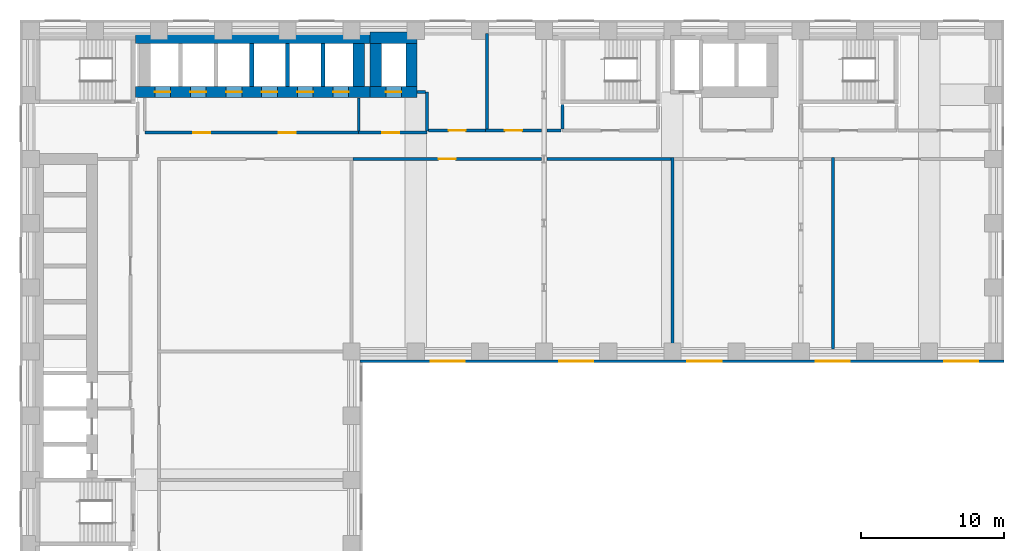
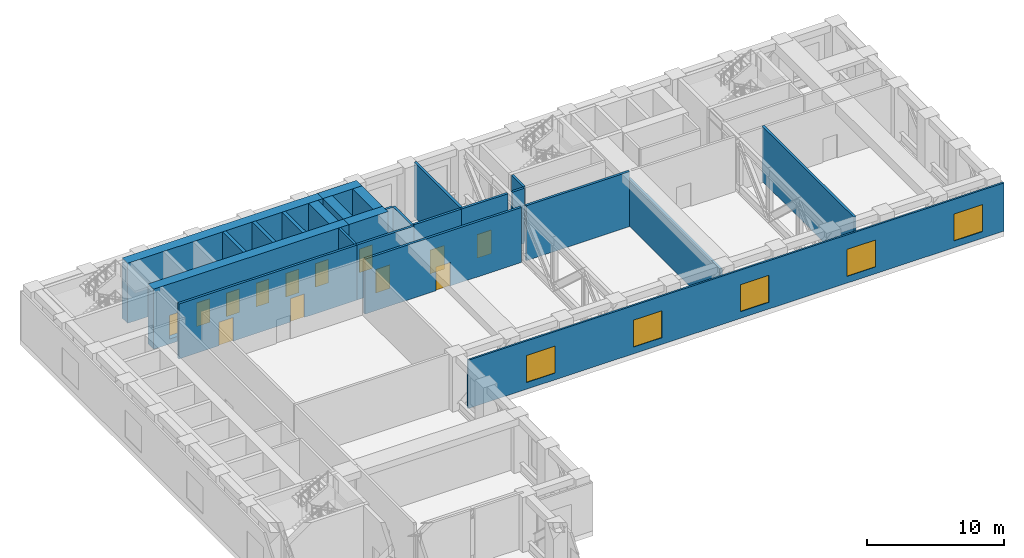
# One storey, part 7 of 13: 25 walls, 13 doors, 5 windows, 18 openings.
"""IFC4 building model written with IfcOpenShell, lengths in metres."""

from ifc_helpers import new_model, si_unit, direction, frame, frame_2d, origin, place, context, subcontext, project, spatial, rectangle, extrude, material, layer, layer_set, type_object, element, fill, save


model = new_model("IFC4")

# Units and contexts
model_context = context("Model", 3, precision=1e-05, world=origin(), true_north=direction((0.0, 1.0)))
body_context = subcontext(model_context, "Body", "Model", "MODEL_VIEW")
ifc_project = project(units=[si_unit("LENGTHUNIT", "METRE"), si_unit("AREAUNIT", "SQUARE_METRE"), si_unit("VOLUMEUNIT", "CUBIC_METRE"), si_unit("PLANEANGLEUNIT", "RADIAN"), si_unit("MASSUNIT", "GRAM", prefix="KILO")], contexts=[model_context])

# Site, building, storey
site_placement = place(None, origin())
site = spatial("IfcSite", under=ifc_project, at=site_placement, CompositionType="ELEMENT")
building_placement = place(site_placement, origin())
building = spatial("IfcBuilding", under=site, at=building_placement, Name="Firuza Court", CompositionType="ELEMENT")
storey_placement = place(building_placement, frame((0.0, 0.0, 108.199951171875)))
storey = spatial("IfcBuildingStorey", under=building, at=storey_placement, Name="L27", CompositionType="ELEMENT", Elevation=108.199951171875)

# Walls
ifc_material_1 = material(Name="Concrete C60/75", Category="concrete")
ifc_layer_1 = layer(ifc_material_1, 0.300048828125)
ifc_layer_set_1 = layer_set([ifc_layer_1], Name="Concrete C60/75")
wall_type_1 = type_object("IfcWallType", Name="Core wall 300 C60/75", PredefinedType="SHEAR", material=ifc_layer_set_1)
for number, where, z_axis, x_axis, name in (
    (1, (15.5, 54.60009765625, -0.449951171875), (0.0, 0.0, 1.0), (0.0, 1.0, 0.0), "Core wall lift shaft L27"),
    (2, (18.0, 54.60009765625, -0.449951171875), (0.0, 0.0, 1.0), (0.0, 1.0, 0.0), "Core wall lift shaft L27"),
    (3, (20.5, 54.60009765625, -0.449951171875), (0.0, 0.0, 1.0), (0.0, 1.0, 0.0), "Core wall lift shaft L27"),
):
    element("IfcWall", number, at=place(storey_placement, frame(where, z_axis=z_axis, x_axis=x_axis)), inside=storey, type_object=wall_type_1, Name=name, PredefinedType="SHEAR", context=body_context, shape_type="SweptSolid", body=[
        extrude(rectangle(XDim=3.0, YDim=0.300048828125, at=frame_2d((1.5, 0.0))), origin(), (0.0, 0.0, 1.0), 5.35009765625),
    ])

# Wall, openings, doors
ifc_layer_2 = layer(ifc_material_1, 0.800048828125)
ifc_layer_set_2 = layer_set([ifc_layer_2], Name="Concrete C60/75")
wall_type_2 = type_object("IfcWallType", Name="Core wall 800 C60/75", PredefinedType="SHEAR", material=ifc_layer_set_2)
wall_1_placement = place(storey_placement, frame((7.35009765625, 54.199951171875, -0.449951171875), z_axis=(0.0, 0.0, 1.0), x_axis=(1.0, 0.0, 0.0)))
wall_1 = element("IfcWall", 4, at=wall_1_placement, inside=storey, type_object=wall_type_2, Name="Core wall lift shaft L27", PredefinedType="SHEAR", context=body_context, shape_type="SweptSolid", body=[
    extrude(rectangle(XDim=16.449951171875, YDim=0.800048828125, at=frame_2d((8.22509765625, 0.0))), origin(), (0.0, 0.0, 1.0), 5.35009765625),
])
opening_1_placement = place(wall_1_placement, frame((1.35009765625, 0.0, 0.449951171875)))
opening_1 = element("IfcOpeningElement", 5, at=opening_1_placement, cuts=wall_1, Name="Opening LD-LB1-27", PredefinedType="OPENING", context=body_context, shape_type="SweptSolid", body=[
    extrude(rectangle(XDim=1.10009765625, YDim=2.10009765625, at=frame_2d((0.550048828125, 1.050048828125))), frame((0.0, 0.412109375, 0.0), z_axis=(0.0, -1.0, 0.0), x_axis=(1.0, 0.0, 0.0)), (0.0, 0.0, 1.0), 0.823974609375),
])
opening_2_placement = place(wall_1_placement, frame((3.85009765625, 0.0, 0.449951171875)))
opening_2 = element("IfcOpeningElement", 6, at=opening_2_placement, cuts=wall_1, Name="Opening LD-LB2-27", PredefinedType="OPENING", context=body_context, shape_type="SweptSolid", body=[
    extrude(rectangle(XDim=1.10009765625, YDim=2.10009765625, at=frame_2d((0.550048828125, 1.050048828125))), frame((0.0, 0.412109375, 0.0), z_axis=(0.0, -1.0, 0.0), x_axis=(1.0, 0.0, 0.0)), (0.0, 0.0, 1.0), 0.823974609375),
])
opening_3_placement = place(wall_1_placement, frame((6.35009765625, 0.0, 0.449951171875)))
opening_3 = element("IfcOpeningElement", 7, at=opening_3_placement, cuts=wall_1, Name="Opening LD-LB3-27", PredefinedType="OPENING", context=body_context, shape_type="SweptSolid", body=[
    extrude(rectangle(XDim=1.10009765625, YDim=2.10009765625, at=frame_2d((0.550048828125, 1.050048828125))), frame((0.0, 0.412109375, 0.0), z_axis=(0.0, -1.0, 0.0), x_axis=(1.0, 0.0, 0.0)), (0.0, 0.0, 1.0), 0.823974609375),
])
opening_4_placement = place(wall_1_placement, frame((8.85009765625, 0.0, 0.449951171875)))
opening_4 = element("IfcOpeningElement", 8, at=opening_4_placement, cuts=wall_1, Name="Opening LD-LB4-27", PredefinedType="OPENING", context=body_context, shape_type="SweptSolid", body=[
    extrude(rectangle(XDim=1.10009765625, YDim=2.10009765625, at=frame_2d((0.550048828125, 1.050048828125))), frame((0.0, 0.412109375, 0.0), z_axis=(0.0, -1.0, 0.0), x_axis=(1.0, 0.0, 0.0)), (0.0, 0.0, 1.0), 0.823974609375),
])
opening_5_placement = place(wall_1_placement, frame((11.35009765625, 0.0, 0.449951171875)))
opening_5 = element("IfcOpeningElement", 9, at=opening_5_placement, cuts=wall_1, Name="Opening LD-LB5-27", PredefinedType="OPENING", context=body_context, shape_type="SweptSolid", body=[
    extrude(rectangle(XDim=1.10009765625, YDim=2.10009765625, at=frame_2d((0.550048828125, 1.050048828125))), frame((0.0, 0.412109375, 0.0), z_axis=(0.0, -1.0, 0.0), x_axis=(1.0, 0.0, 0.0)), (0.0, 0.0, 1.0), 0.823974609375),
])
opening_6_placement = place(wall_1_placement, frame((13.85009765625, 0.0, 0.449951171875)))
opening_6 = element("IfcOpeningElement", 10, at=opening_6_placement, cuts=wall_1, Name="Opening LD-LB6-27", PredefinedType="OPENING", context=body_context, shape_type="SweptSolid", body=[
    extrude(rectangle(XDim=1.10009765625, YDim=2.10009765625, at=frame_2d((0.550048828125, 1.050048828125))), frame((0.0, 0.412109375, 0.0), z_axis=(0.0, -1.0, 0.0), x_axis=(1.0, 0.0, 0.0)), (0.0, 0.0, 1.0), 0.823974609375),
])
ifc_material_2 = material(Name="Stainless steel 1.4301 door leaf", Category="steel")
door_type_1 = type_object("IfcDoorType", Name="Lift landing door 1100", OperationType="SLIDING_TO_LEFT", PredefinedType="DOOR", material=ifc_material_2)
door_1_placement = place(opening_1_placement, origin())
door_1 = element("IfcDoor", 11, at=door_1_placement, inside=storey, type_object=door_type_1, Name="Landing door LB1", OperationType="SLIDING_TO_LEFT", OverallHeight=2.10009765625, OverallWidth=1.10009765625, PredefinedType="DOOR", context=body_context, shape_type="SweptSolid", body=[
    extrude(rectangle(XDim=1.10009765625, YDim=2.10009765625, at=frame_2d((0.550048828125, 1.050048828125))), frame((0.0, 0.02490234375, 0.0), z_axis=(0.0, -1.0, 0.0), x_axis=(1.0, 0.0, 0.0)), (0.0, 0.0, 1.0), 0.050048828125),
])
fill(opening_1, door_1)
door_2_placement = place(opening_2_placement, origin())
door_2 = element("IfcDoor", 12, at=door_2_placement, inside=storey, type_object=door_type_1, Name="Landing door LB2", OperationType="SLIDING_TO_LEFT", OverallHeight=2.10009765625, OverallWidth=1.10009765625, PredefinedType="DOOR", context=body_context, shape_type="SweptSolid", body=[
    extrude(rectangle(XDim=1.10009765625, YDim=2.10009765625, at=frame_2d((0.550048828125, 1.050048828125))), frame((0.0, 0.02490234375, 0.0), z_axis=(0.0, -1.0, 0.0), x_axis=(1.0, 0.0, 0.0)), (0.0, 0.0, 1.0), 0.050048828125),
])
fill(opening_2, door_2)
door_3_placement = place(opening_3_placement, origin())
door_3 = element("IfcDoor", 13, at=door_3_placement, inside=storey, type_object=door_type_1, Name="Landing door LB3", OperationType="SLIDING_TO_LEFT", OverallHeight=2.10009765625, OverallWidth=1.10009765625, PredefinedType="DOOR", context=body_context, shape_type="SweptSolid", body=[
    extrude(rectangle(XDim=1.10009765625, YDim=2.10009765625, at=frame_2d((0.550048828125, 1.050048828125))), frame((0.0, 0.02490234375, 0.0), z_axis=(0.0, -1.0, 0.0), x_axis=(1.0, 0.0, 0.0)), (0.0, 0.0, 1.0), 0.050048828125),
])
fill(opening_3, door_3)
door_4_placement = place(opening_4_placement, origin())
door_4 = element("IfcDoor", 14, at=door_4_placement, inside=storey, type_object=door_type_1, Name="Landing door LB4", OperationType="SLIDING_TO_LEFT", OverallHeight=2.10009765625, OverallWidth=1.10009765625, PredefinedType="DOOR", context=body_context, shape_type="SweptSolid", body=[
    extrude(rectangle(XDim=1.10009765625, YDim=2.10009765625, at=frame_2d((0.550048828125, 1.050048828125))), frame((0.0, 0.02490234375, 0.0), z_axis=(0.0, -1.0, 0.0), x_axis=(1.0, 0.0, 0.0)), (0.0, 0.0, 1.0), 0.050048828125),
])
fill(opening_4, door_4)
door_5_placement = place(opening_5_placement, origin())
door_5 = element("IfcDoor", 15, at=door_5_placement, inside=storey, type_object=door_type_1, Name="Landing door LB5", OperationType="SLIDING_TO_LEFT", OverallHeight=2.10009765625, OverallWidth=1.10009765625, PredefinedType="DOOR", context=body_context, shape_type="SweptSolid", body=[
    extrude(rectangle(XDim=1.10009765625, YDim=2.10009765625, at=frame_2d((0.550048828125, 1.050048828125))), frame((0.0, 0.02490234375, 0.0), z_axis=(0.0, -1.0, 0.0), x_axis=(1.0, 0.0, 0.0)), (0.0, 0.0, 1.0), 0.050048828125),
])
fill(opening_5, door_5)
door_6_placement = place(opening_6_placement, origin())
door_6 = element("IfcDoor", 16, at=door_6_placement, inside=storey, type_object=door_type_1, Name="Landing door LB6", OperationType="SLIDING_TO_LEFT", OverallHeight=2.10009765625, OverallWidth=1.10009765625, PredefinedType="DOOR", context=body_context, shape_type="SweptSolid", body=[
    extrude(rectangle(XDim=1.10009765625, YDim=2.10009765625, at=frame_2d((0.550048828125, 1.050048828125))), frame((0.0, 0.02490234375, 0.0), z_axis=(0.0, -1.0, 0.0), x_axis=(1.0, 0.0, 0.0)), (0.0, 0.0, 1.0), 0.050048828125),
])
fill(opening_6, door_6)

# Walls
wall_2_placement = place(storey_placement, frame((7.35009765625, 58.0, -0.449951171875), z_axis=(0.0, 0.0, 1.0), x_axis=(1.0, 0.0, 0.0)))
element("IfcWall", 17, at=wall_2_placement, inside=storey, type_object=wall_type_2, Name="Core wall lift shaft L27", PredefinedType="SHEAR", context=body_context, shape_type="SweptSolid", body=[
    extrude(rectangle(XDim=16.449951171875, YDim=0.800048828125, at=frame_2d((8.22509765625, 0.0))), origin(), (0.0, 0.0, 1.0), 5.35009765625),
])
wall_3_placement = place(storey_placement, frame((23.0, 54.60009765625, -0.449951171875), z_axis=(0.0, 0.0, 1.0), x_axis=(0.0, 1.0, 0.0)))
element("IfcWall", 18, at=wall_3_placement, inside=storey, type_object=wall_type_2, Name="Core wall lift shaft L27", PredefinedType="SHEAR", context=body_context, shape_type="SweptSolid", body=[
    extrude(rectangle(XDim=3.0, YDim=0.800048828125, at=frame_2d((1.5, 0.0))), origin(), (0.0, 0.0, 1.0), 5.35009765625),
])

# Wall, opening, door
wall_4_placement = place(storey_placement, frame((23.800048828125, 54.199951171875, -0.449951171875), z_axis=(0.0, 0.0, 1.0), x_axis=(1.0, 0.0, 0.0)))
wall_4 = element("IfcWall", 19, at=wall_4_placement, inside=storey, type_object=wall_type_2, Name="Core wall lift shaft L27", PredefinedType="SHEAR", context=body_context, shape_type="SweptSolid", body=[
    extrude(rectangle(XDim=3.300048828125, YDim=0.800048828125, at=frame_2d((1.64990234375, 0.0))), origin(), (0.0, 0.0, 1.0), 5.35009765625),
])
opening_7_placement = place(wall_4_placement, frame((1.10009765625, 0.0, 0.449951171875)))
opening_7 = element("IfcOpeningElement", 20, at=opening_7_placement, cuts=wall_4, Name="Opening LD-FL3-27", PredefinedType="OPENING", context=body_context, shape_type="SweptSolid", body=[
    extrude(rectangle(XDim=1.10009765625, YDim=2.10009765625, at=frame_2d((0.550048828125, 1.050048828125))), frame((0.0, 0.412109375, 0.0), z_axis=(0.0, -1.0, 0.0), x_axis=(1.0, 0.0, 0.0)), (0.0, 0.0, 1.0), 0.823974609375),
])
door_7_placement = place(opening_7_placement, origin())
door_7 = element("IfcDoor", 21, at=door_7_placement, inside=storey, type_object=door_type_1, Name="Landing door FL3", OperationType="SLIDING_TO_LEFT", OverallHeight=2.10009765625, OverallWidth=1.10009765625, PredefinedType="DOOR", context=body_context, shape_type="SweptSolid", body=[
    extrude(rectangle(XDim=1.10009765625, YDim=2.10009765625, at=frame_2d((0.550048828125, 1.050048828125))), frame((0.0, 0.02490234375, 0.0), z_axis=(0.0, -1.0, 0.0), x_axis=(1.0, 0.0, 0.0)), (0.0, 0.0, 1.0), 0.050048828125),
])
fill(opening_7, door_7)

# Walls
wall_5_placement = place(storey_placement, frame((23.800048828125, 58.0, -0.449951171875), z_axis=(0.0, 0.0, 1.0), x_axis=(1.0, 0.0, 0.0)))
element("IfcWall", 22, at=wall_5_placement, inside=storey, type_object=wall_type_2, Name="Core wall lift shaft L27", PredefinedType="SHEAR", context=body_context, shape_type="SweptSolid", body=[
    extrude(rectangle(XDim=3.300048828125, YDim=0.800048828125, at=frame_2d((1.64990234375, 0.0))), origin(), (0.0, 0.0, 1.0), 5.35009765625),
])
for number, where, z_axis, x_axis, name in (
    (23, (24.199951171875, 54.60009765625, -0.449951171875), (0.0, 0.0, 1.0), (0.0, 1.0, 0.0), "Core wall lift shaft L27"),
    (24, (26.699951171875, 54.60009765625, -0.449951171875), (0.0, 0.0, 1.0), (0.0, 1.0, 0.0), "Core wall lift shaft L27"),
):
    element("IfcWall", number, at=place(storey_placement, frame(where, z_axis=z_axis, x_axis=x_axis)), inside=storey, type_object=wall_type_2, Name=name, PredefinedType="SHEAR", context=body_context, shape_type="SweptSolid", body=[
        extrude(rectangle(XDim=3.0, YDim=0.800048828125, at=frame_2d((1.5, 0.0))), origin(), (0.0, 0.0, 1.0), 5.35009765625),
    ])

# Wall, opening, door
ifc_material_3 = material(Name="Blockwork, plastered both sides", Category="masonry")
ifc_layer_3 = layer(ifc_material_3, 0.199951171875)
ifc_layer_set_3 = layer_set([ifc_layer_3], Name="Blockwork, plastered both sides")
wall_type_3 = type_object("IfcWallType", Name="Corridor wall 200", PredefinedType="PARTITIONING", material=ifc_layer_set_3)
wall_6_placement = place(storey_placement, frame((22.60009765625, 49.5, 0.0), z_axis=(0.0, 0.0, 1.0), x_axis=(1.0, 0.0, 0.0)))
wall_6 = element("IfcWall", 25, at=wall_6_placement, inside=storey, type_object=wall_type_3, Name="Corridor wall 200 L27", PredefinedType="PARTITIONING", context=body_context, shape_type="SweptSolid", body=[
    extrude(rectangle(XDim=13.20751953125, YDim=0.199951171875, at=frame_2d((6.603759765625, 0.0))), origin(), (0.0, 0.0, 1.0), 4.900146484375),
])
opening_8_placement = place(wall_6_placement, frame((6.003662109375, 0.0, 0.0)))
opening_8 = element("IfcOpeningElement", 26, at=opening_8_placement, cuts=wall_6, Name="Opening D27028", PredefinedType="OPENING", context=body_context, shape_type="SweptSolid", body=[
    extrude(rectangle(XDim=1.199951171875, YDim=2.10009765625, at=frame_2d((0.60009765625, 1.050048828125))), frame((0.0, 0.11181640625, 0.0), z_axis=(0.0, -1.0, 0.0), x_axis=(1.0, 0.0, 0.0)), (0.0, 0.0, 1.0), 0.223876953125),
])
ifc_material_4 = material(Name="Timber door leaf in hardwood frame", Category="wood")
door_type_2 = type_object("IfcDoorType", Name="Lobby door 1200", OperationType="SINGLE_SWING_LEFT", PredefinedType="DOOR", material=ifc_material_4)
door_8_placement = place(opening_8_placement, frame((1.199951171875, 0.0, 0.0), z_axis=(0.0, 0.0, 1.0), x_axis=(-1.0, 0.0, 0.0)))
door_8 = element("IfcDoor", 27, at=door_8_placement, inside=storey, type_object=door_type_2, Name="Lobby door", OperationType="SINGLE_SWING_RIGHT", OverallHeight=2.10009765625, OverallWidth=1.199951171875, PredefinedType="DOOR", context=body_context, shape_type="SweptSolid", body=[
    extrude(rectangle(XDim=1.199951171875, YDim=2.10009765625, at=frame_2d((0.60009765625, 1.050048828125))), frame((0.0, 0.02490234375, 0.0), z_axis=(0.0, -1.0, 0.0), x_axis=(1.0, 0.0, 0.0)), (0.0, 0.0, 1.0), 0.050048828125),
])
fill(opening_8, door_8)

# Walls
wall_7_placement = place(storey_placement, frame((36.1923828125, 49.5, 0.0), z_axis=(0.0, 0.0, 1.0), x_axis=(1.0, 0.0, 0.0)))
element("IfcWall", 28, at=wall_7_placement, inside=storey, type_object=wall_type_3, Name="Corridor wall 200 L27", PredefinedType="PARTITIONING", context=body_context, shape_type="SweptSolid", body=[
    extrude(rectangle(XDim=8.70751953125, YDim=0.199951171875, at=frame_2d((4.353759765625, 0.0))), origin(), (0.0, 0.0, 1.0), 4.900146484375),
])
ifc_material_5 = material(Name="Blockwork, fire-rated", Category="masonry")
ifc_layer_4 = layer(ifc_material_5, 0.199951171875)
ifc_layer_set_4 = layer_set([ifc_layer_4], Name="Blockwork, fire-rated")
wall_type_4 = type_object("IfcWallType", Name="Plant room wall 200", PredefinedType="PARTITIONING", material=ifc_layer_set_4)
wall_8_placement = place(storey_placement, frame((45.0, 49.60009765625, 0.0), z_axis=(0.0, 0.0, 1.0), x_axis=(0.0, -1.0, 0.0)))
element("IfcWall", 29, at=wall_8_placement, inside=storey, type_object=wall_type_4, Name="Plant room wall 200 L27", PredefinedType="PARTITIONING", context=body_context, shape_type="SweptSolid", body=[
    extrude(rectangle(XDim=13.40869140625, YDim=0.199951171875, at=frame_2d((6.704345703125, 0.0))), origin(), (0.0, 0.0, 1.0), 4.199951171875),
])
wall_9_placement = place(storey_placement, frame((56.25, 49.60009765625, 0.0), z_axis=(0.0, 0.0, 1.0), x_axis=(0.0, -1.0, 0.0)))
element("IfcWall", 30, at=wall_9_placement, inside=storey, type_object=wall_type_4, Name="Plant room wall 200 L27", PredefinedType="PARTITIONING", context=body_context, shape_type="SweptSolid", body=[
    extrude(rectangle(XDim=13.40869140625, YDim=0.199951171875, at=frame_2d((6.704345703125, 0.0))), origin(), (0.0, 0.0, 1.0), 4.900146484375),
])

# Wall, opening, door
wall_10_placement = place(storey_placement, frame((31.89990234375, 51.5, 0.0), z_axis=(0.0, 0.0, 1.0), x_axis=(-1.0, 0.0, 0.0)))
wall_10 = element("IfcWall", 31, at=wall_10_placement, inside=storey, type_object=wall_type_4, Name="Plant room wall 200 L27", PredefinedType="PARTITIONING", context=body_context, shape_type="SweptSolid", body=[
    extrude(rectangle(XDim=4.0, YDim=0.199951171875, at=frame_2d((2.0, 0.0))), origin(), (0.0, 0.0, 1.0), 4.900146484375),
])
opening_9_placement = place(wall_10_placement, frame((1.39990234375, 0.0, 0.0)))
opening_9 = element("IfcOpeningElement", 32, at=opening_9_placement, cuts=wall_10, Name="Opening D27031", PredefinedType="OPENING", context=body_context, shape_type="SweptSolid", body=[
    extrude(rectangle(XDim=1.199951171875, YDim=2.10009765625, at=frame_2d((0.60009765625, 1.050048828125))), frame((0.0, 0.11181640625, 0.0), z_axis=(0.0, -1.0, 0.0), x_axis=(1.0, 0.0, 0.0)), (0.0, 0.0, 1.0), 0.223876953125),
])
ifc_material_6 = material(Name="Timber door leaf in hardwood frame", Category="wood")
door_type_3 = type_object("IfcDoorType", Name="Plant room door 1200", OperationType="SINGLE_SWING_LEFT", PredefinedType="DOOR", material=ifc_material_6)
door_9_placement = place(opening_9_placement, frame((1.199951171875, 0.0, 0.0), z_axis=(0.0, 0.0, 1.0), x_axis=(-1.0, 0.0, 0.0)))
door_9 = element("IfcDoor", 33, at=door_9_placement, inside=storey, type_object=door_type_3, Name="Plant door", OperationType="SINGLE_SWING_RIGHT", OverallHeight=2.10009765625, OverallWidth=1.199951171875, PredefinedType="DOOR", context=body_context, shape_type="SweptSolid", body=[
    extrude(rectangle(XDim=1.199951171875, YDim=2.10009765625, at=frame_2d((0.60009765625, 1.050048828125))), frame((0.0, 0.02490234375, 0.0), z_axis=(0.0, -1.0, 0.0), x_axis=(1.0, 0.0, 0.0)), (0.0, 0.0, 1.0), 0.050048828125),
])
fill(opening_9, door_9)

# Wall
wall_11_placement = place(storey_placement, frame((37.199951171875, 51.5, 0.0), z_axis=(0.0, 0.0, 1.0), x_axis=(-1.0, 0.0, 0.0)))
element("IfcWall", 34, at=wall_11_placement, inside=storey, type_object=wall_type_4, Name="Plant room wall 200 L27", PredefinedType="PARTITIONING", context=body_context, shape_type="SweptSolid", body=[
    extrude(rectangle(XDim=1.007568359375, YDim=0.199951171875, at=frame_2d((0.50390625, 0.0))), origin(), (0.0, 0.0, 1.0), 4.900146484375),
])

# Wall, opening, door
wall_12_placement = place(storey_placement, frame((35.8076171875, 51.5, 0.0), z_axis=(0.0, 0.0, 1.0), x_axis=(-1.0, 0.0, 0.0)))
wall_12 = element("IfcWall", 35, at=wall_12_placement, inside=storey, type_object=wall_type_4, Name="Plant room wall 200 L27", PredefinedType="PARTITIONING", context=body_context, shape_type="SweptSolid", body=[
    extrude(rectangle(XDim=3.90771484375, YDim=0.199951171875, at=frame_2d((1.953857421875, 0.0))), origin(), (0.0, 0.0, 1.0), 4.900146484375),
])
opening_10_placement = place(wall_12_placement, frame((1.353759765625, 0.0, 0.0)))
opening_10 = element("IfcOpeningElement", 36, at=opening_10_placement, cuts=wall_12, Name="Opening D27032", PredefinedType="OPENING", context=body_context, shape_type="SweptSolid", body=[
    extrude(rectangle(XDim=1.199951171875, YDim=2.10009765625, at=frame_2d((0.60009765625, 1.050048828125))), frame((0.0, 0.11181640625, 0.0), z_axis=(0.0, -1.0, 0.0), x_axis=(1.0, 0.0, 0.0)), (0.0, 0.0, 1.0), 0.223876953125),
])
door_10_placement = place(opening_10_placement, frame((1.199951171875, 0.0, 0.0), z_axis=(0.0, 0.0, 1.0), x_axis=(-1.0, 0.0, 0.0)))
door_10 = element("IfcDoor", 37, at=door_10_placement, inside=storey, type_object=door_type_3, Name="Plant door", OperationType="SINGLE_SWING_LEFT", OverallHeight=2.10009765625, OverallWidth=1.199951171875, PredefinedType="DOOR", context=body_context, shape_type="SweptSolid", body=[
    extrude(rectangle(XDim=1.199951171875, YDim=2.10009765625, at=frame_2d((0.60009765625, 1.050048828125))), frame((0.0, 0.02490234375, 0.0), z_axis=(0.0, -1.0, 0.0), x_axis=(1.0, 0.0, 0.0)), (0.0, 0.0, 1.0), 0.050048828125),
])
fill(opening_10, door_10)

# Wall
wall_13_placement = place(storey_placement, frame((32.0, 58.30859375, 0.0), z_axis=(0.0, 0.0, 1.0), x_axis=(0.0, -1.0, 0.0)))
element("IfcWall", 38, at=wall_13_placement, inside=storey, type_object=wall_type_4, Name="Plant room wall 200 L27", PredefinedType="PARTITIONING", context=body_context, shape_type="SweptSolid", body=[
    extrude(rectangle(XDim=6.70849609375, YDim=0.199951171875, at=frame_2d((3.354248046875, 0.0))), origin(), (0.0, 0.0, 1.0), 4.900146484375),
])

# Wall, openings, windows
ifc_material_7 = material(Name="Ceramic tile", Category="ceramic")
ifc_layer_5 = layer(ifc_material_7, 0.02001953125)
ifc_material_8 = material(Name="Mineral wool insulation", Category="insulation")
ifc_layer_6 = layer(ifc_material_8, 0.050048828125)
ifc_material_9 = material(Name="Concrete C40/50 precast", Category="concrete")
ifc_layer_7 = layer(ifc_material_9, 0.080078125)
ifc_layer_set_5 = layer_set([ifc_layer_5, ifc_layer_6, ifc_layer_7], Name="Concrete C40/50 precast")
wall_type_5 = type_object("IfcWallType", Name="Precast cladding wall with turquoise TILE PANEL face 150", PredefinedType="STANDARD", material=ifc_layer_set_5)
wall_14_placement = place(storey_placement, frame((23.10009765625, 35.324951171875, 0.0), z_axis=(0.0, 0.0, 1.0), x_axis=(1.0, 0.0, 0.0)))
wall_14 = element("IfcWall", 39, at=wall_14_placement, inside=storey, type_object=wall_type_5, Name="Facade wall L27 S", PredefinedType="STANDARD", context=body_context, shape_type="SweptSolid", body=[
    extrude(rectangle(XDim=45.14990234375, YDim=0.14990234375, at=frame_2d((22.574951171875, 0.0))), origin(), (0.0, 0.0, 1.0), 4.300048828125),
])
opening_11_placement = place(wall_14_placement, frame((4.949951171875, 0.0, 0.60009765625)))
opening_11 = element("IfcOpeningElement", 40, at=opening_11_placement, cuts=wall_14, Name="Opening LV2", PredefinedType="OPENING", context=body_context, shape_type="SweptSolid", body=[
    extrude(rectangle(XDim=2.39990234375, YDim=2.39990234375, at=frame_2d((1.199951171875, 1.199951171875))), frame((0.0, 0.0869140625, 0.0), z_axis=(0.0, -1.0, 0.0), x_axis=(1.0, 0.0, 0.0)), (0.0, 0.0, 1.0), 0.173828125),
])
opening_12_placement = place(wall_14_placement, frame((13.949951171875, 0.0, 0.60009765625)))
opening_12 = element("IfcOpeningElement", 41, at=opening_12_placement, cuts=wall_14, Name="Opening LV2", PredefinedType="OPENING", context=body_context, shape_type="SweptSolid", body=[
    extrude(rectangle(XDim=2.39990234375, YDim=2.39990234375, at=frame_2d((1.199951171875, 1.199951171875))), frame((0.0, 0.0869140625, 0.0), z_axis=(0.0, -1.0, 0.0), x_axis=(1.0, 0.0, 0.0)), (0.0, 0.0, 1.0), 0.173828125),
])
opening_13_placement = place(wall_14_placement, frame((22.949951171875, 0.0, 0.60009765625)))
opening_13 = element("IfcOpeningElement", 42, at=opening_13_placement, cuts=wall_14, Name="Opening LV2", PredefinedType="OPENING", context=body_context, shape_type="SweptSolid", body=[
    extrude(rectangle(XDim=2.39990234375, YDim=2.39990234375, at=frame_2d((1.199951171875, 1.199951171875))), frame((0.0, 0.0869140625, 0.0), z_axis=(0.0, -1.0, 0.0), x_axis=(1.0, 0.0, 0.0)), (0.0, 0.0, 1.0), 0.173828125),
])
opening_14_placement = place(wall_14_placement, frame((31.949951171875, 0.0, 0.60009765625)))
opening_14 = element("IfcOpeningElement", 43, at=opening_14_placement, cuts=wall_14, Name="Opening LV2", PredefinedType="OPENING", context=body_context, shape_type="SweptSolid", body=[
    extrude(rectangle(XDim=2.39990234375, YDim=2.39990234375, at=frame_2d((1.199951171875, 1.199951171875))), frame((0.0, 0.0869140625, 0.0), z_axis=(0.0, -1.0, 0.0), x_axis=(1.0, 0.0, 0.0)), (0.0, 0.0, 1.0), 0.173828125),
])
opening_15_placement = place(wall_14_placement, frame((40.949951171875, 0.0, 0.60009765625)))
opening_15 = element("IfcOpeningElement", 44, at=opening_15_placement, cuts=wall_14, Name="Opening LV2", PredefinedType="OPENING", context=body_context, shape_type="SweptSolid", body=[
    extrude(rectangle(XDim=2.39990234375, YDim=2.39990234375, at=frame_2d((1.199951171875, 1.199951171875))), frame((0.0, 0.0869140625, 0.0), z_axis=(0.0, -1.0, 0.0), x_axis=(1.0, 0.0, 0.0)), (0.0, 0.0, 1.0), 0.173828125),
])
ifc_material_10 = material(Name="Aluminium weather louvre with insect mesh", Category="aluminium")
window_type = type_object("IfcWindowType", Name="Plant louvre 2400 x 2400", PartitioningType="SINGLE_PANEL", PredefinedType="USERDEFINED", material=ifc_material_10)
window_1_placement = place(opening_11_placement, origin())
window_1 = element("IfcWindow", 45, at=window_1_placement, inside=storey, type_object=window_type, Name="Louvre L27", ObjectType="LOUVRE", OverallHeight=2.39990234375, OverallWidth=2.39990234375, PartitioningType="SINGLE_PANEL", PredefinedType="USERDEFINED", context=body_context, shape_type="SweptSolid", body=[
    extrude(rectangle(XDim=2.39990234375, YDim=2.39990234375, at=frame_2d((1.199951171875, 1.199951171875))), frame((0.0, 0.030029296875, 0.0), z_axis=(0.0, -1.0, 0.0), x_axis=(1.0, 0.0, 0.0)), (0.0, 0.0, 1.0), 0.06005859375),
])
fill(opening_11, window_1)
window_2_placement = place(opening_12_placement, origin())
window_2 = element("IfcWindow", 46, at=window_2_placement, inside=storey, type_object=window_type, Name="Louvre L27", ObjectType="LOUVRE", OverallHeight=2.39990234375, OverallWidth=2.39990234375, PartitioningType="SINGLE_PANEL", PredefinedType="USERDEFINED", context=body_context, shape_type="SweptSolid", body=[
    extrude(rectangle(XDim=2.39990234375, YDim=2.39990234375, at=frame_2d((1.199951171875, 1.199951171875))), frame((0.0, 0.030029296875, 0.0), z_axis=(0.0, -1.0, 0.0), x_axis=(1.0, 0.0, 0.0)), (0.0, 0.0, 1.0), 0.06005859375),
])
fill(opening_12, window_2)
window_3_placement = place(opening_13_placement, origin())
window_3 = element("IfcWindow", 47, at=window_3_placement, inside=storey, type_object=window_type, Name="Louvre L27", ObjectType="LOUVRE", OverallHeight=2.39990234375, OverallWidth=2.39990234375, PartitioningType="SINGLE_PANEL", PredefinedType="USERDEFINED", context=body_context, shape_type="SweptSolid", body=[
    extrude(rectangle(XDim=2.39990234375, YDim=2.39990234375, at=frame_2d((1.199951171875, 1.199951171875))), frame((0.0, 0.030029296875, 0.0), z_axis=(0.0, -1.0, 0.0), x_axis=(1.0, 0.0, 0.0)), (0.0, 0.0, 1.0), 0.06005859375),
])
fill(opening_13, window_3)
window_4_placement = place(opening_14_placement, origin())
window_4 = element("IfcWindow", 48, at=window_4_placement, inside=storey, type_object=window_type, Name="Louvre L27", ObjectType="LOUVRE", OverallHeight=2.39990234375, OverallWidth=2.39990234375, PartitioningType="SINGLE_PANEL", PredefinedType="USERDEFINED", context=body_context, shape_type="SweptSolid", body=[
    extrude(rectangle(XDim=2.39990234375, YDim=2.39990234375, at=frame_2d((1.199951171875, 1.199951171875))), frame((0.0, 0.030029296875, 0.0), z_axis=(0.0, -1.0, 0.0), x_axis=(1.0, 0.0, 0.0)), (0.0, 0.0, 1.0), 0.06005859375),
])
fill(opening_14, window_4)
window_5_placement = place(opening_15_placement, origin())
window_5 = element("IfcWindow", 49, at=window_5_placement, inside=storey, type_object=window_type, Name="Louvre L27", ObjectType="LOUVRE", OverallHeight=2.39990234375, OverallWidth=2.39990234375, PartitioningType="SINGLE_PANEL", PredefinedType="USERDEFINED", context=body_context, shape_type="SweptSolid", body=[
    extrude(rectangle(XDim=2.39990234375, YDim=2.39990234375, at=frame_2d((1.199951171875, 1.199951171875))), frame((0.0, 0.030029296875, 0.0), z_axis=(0.0, -1.0, 0.0), x_axis=(1.0, 0.0, 0.0)), (0.0, 0.0, 1.0), 0.06005859375),
])
fill(opening_15, window_5)

# Wall, openings, doors
ifc_layer_8 = layer(ifc_material_5, 0.199951171875)
ifc_layer_set_6 = layer_set([ifc_layer_8], Name="Blockwork, fire-rated")
wall_type_6 = type_object("IfcWallType", Name="Shaft wall 200", PredefinedType="PARTITIONING", material=ifc_layer_set_6)
wall_15_placement = place(storey_placement, frame((8.0, 51.35009765625, 0.0), z_axis=(0.0, 0.0, 1.0), x_axis=(1.0, 0.0, 0.0)))
wall_15 = element("IfcWall", 50, at=wall_15_placement, inside=storey, type_object=wall_type_6, Name="Shaft wall 200 L27", PredefinedType="PARTITIONING", context=body_context, shape_type="SweptSolid", body=[
    extrude(rectangle(XDim=15.0, YDim=0.199951171875, at=frame_2d((7.5, 0.0))), origin(), (0.0, 0.0, 1.0), 4.900146484375),
])
opening_16_placement = place(wall_15_placement, frame((3.39990234375, 0.0, 0.0)))
opening_16 = element("IfcOpeningElement", 51, at=opening_16_placement, cuts=wall_15, Name="Opening D27004", PredefinedType="OPENING", context=body_context, shape_type="SweptSolid", body=[
    extrude(rectangle(XDim=1.199951171875, YDim=2.10009765625, at=frame_2d((0.60009765625, 1.050048828125))), frame((0.0, 0.11181640625, 0.0), z_axis=(0.0, -1.0, 0.0), x_axis=(1.0, 0.0, 0.0)), (0.0, 0.0, 1.0), 0.223876953125),
])
opening_17_placement = place(wall_15_placement, frame((9.39990234375, 0.0, 0.0)))
opening_17 = element("IfcOpeningElement", 52, at=opening_17_placement, cuts=wall_15, Name="Opening D27005", PredefinedType="OPENING", context=body_context, shape_type="SweptSolid", body=[
    extrude(rectangle(XDim=1.199951171875, YDim=2.10009765625, at=frame_2d((0.60009765625, 1.050048828125))), frame((0.0, 0.11181640625, 0.0), z_axis=(0.0, -1.0, 0.0), x_axis=(1.0, 0.0, 0.0)), (0.0, 0.0, 1.0), 0.223876953125),
])
door_11_placement = place(opening_16_placement, origin())
door_11 = element("IfcDoor", 53, at=door_11_placement, inside=storey, type_object=door_type_2, Name="Lobby door", OperationType="SINGLE_SWING_LEFT", OverallHeight=2.10009765625, OverallWidth=1.199951171875, PredefinedType="DOOR", context=body_context, shape_type="SweptSolid", body=[
    extrude(rectangle(XDim=1.199951171875, YDim=2.10009765625, at=frame_2d((0.60009765625, 1.050048828125))), frame((0.0, 0.02490234375, 0.0), z_axis=(0.0, -1.0, 0.0), x_axis=(1.0, 0.0, 0.0)), (0.0, 0.0, 1.0), 0.050048828125),
])
fill(opening_16, door_11)
door_12_placement = place(opening_17_placement, origin())
door_12 = element("IfcDoor", 54, at=door_12_placement, inside=storey, type_object=door_type_2, Name="Lobby door", OperationType="SINGLE_SWING_RIGHT", OverallHeight=2.10009765625, OverallWidth=1.199951171875, PredefinedType="DOOR", context=body_context, shape_type="SweptSolid", body=[
    extrude(rectangle(XDim=1.199951171875, YDim=2.10009765625, at=frame_2d((0.60009765625, 1.050048828125))), frame((0.0, 0.02490234375, 0.0), z_axis=(0.0, -1.0, 0.0), x_axis=(1.0, 0.0, 0.0)), (0.0, 0.0, 1.0), 0.050048828125),
])
fill(opening_17, door_12)

# Wall
wall_16_placement = place(storey_placement, frame((23.0, 51.449951171875, 0.0), z_axis=(0.0, 0.0, 1.0), x_axis=(0.0, 1.0, 0.0)))
element("IfcWall", 55, at=wall_16_placement, inside=storey, type_object=wall_type_6, Name="Shaft wall 200 L27", PredefinedType="PARTITIONING", context=body_context, shape_type="SweptSolid", body=[
    extrude(rectangle(XDim=2.330078125, YDim=0.199951171875, at=frame_2d((1.1650390625, 0.0))), origin(), (0.0, 0.0, 1.0), 4.900146484375),
])

# Wall, opening, door
wall_17_placement = place(storey_placement, frame((23.0, 51.35009765625, 0.0), z_axis=(0.0, 0.0, 1.0), x_axis=(1.0, 0.0, 0.0)))
wall_17 = element("IfcWall", 56, at=wall_17_placement, inside=storey, type_object=wall_type_6, Name="Shaft wall 200 L27", PredefinedType="PARTITIONING", context=body_context, shape_type="SweptSolid", body=[
    extrude(rectangle(XDim=4.800048828125, YDim=0.199951171875, at=frame_2d((2.39990234375, 0.0))), origin(), (0.0, 0.0, 1.0), 4.900146484375),
])
opening_18_placement = place(wall_17_placement, frame((1.64990234375, 0.0, 0.0)))
opening_18 = element("IfcOpeningElement", 57, at=opening_18_placement, cuts=wall_17, Name="Opening D27003", PredefinedType="OPENING", context=body_context, shape_type="SweptSolid", body=[
    extrude(rectangle(XDim=1.199951171875, YDim=2.10009765625, at=frame_2d((0.60009765625, 1.050048828125))), frame((0.0, 0.11181640625, 0.0), z_axis=(0.0, -1.0, 0.0), x_axis=(1.0, 0.0, 0.0)), (0.0, 0.0, 1.0), 0.223876953125),
])
door_13_placement = place(opening_18_placement, origin())
door_13 = element("IfcDoor", 58, at=door_13_placement, inside=storey, type_object=door_type_2, Name="Fire-fighting lobby door", OperationType="SINGLE_SWING_LEFT", OverallHeight=2.10009765625, OverallWidth=1.199951171875, PredefinedType="DOOR", context=body_context, shape_type="SweptSolid", body=[
    extrude(rectangle(XDim=1.199951171875, YDim=2.10009765625, at=frame_2d((0.60009765625, 1.050048828125))), frame((0.0, 0.02490234375, 0.0), z_axis=(0.0, -1.0, 0.0), x_axis=(1.0, 0.0, 0.0)), (0.0, 0.0, 1.0), 0.050048828125),
])
fill(opening_18, door_13)

# Walls
wall_18_placement = place(storey_placement, frame((27.800048828125, 51.449951171875, 0.0), z_axis=(0.0, 0.0, 1.0), x_axis=(0.0, 1.0, 0.0)))
element("IfcWall", 59, at=wall_18_placement, inside=storey, type_object=wall_type_6, Name="Shaft wall 200 L27", PredefinedType="PARTITIONING", context=body_context, shape_type="SweptSolid", body=[
    extrude(rectangle(XDim=2.75, YDim=0.199951171875, at=frame_2d((1.375, 0.0))), origin(), (0.0, 0.0, 1.0), 4.900146484375),
])
wall_19_placement = place(storey_placement, frame((27.10009765625, 54.199951171875, 0.0), z_axis=(0.0, 0.0, 1.0), x_axis=(1.0, 0.0, 0.0)))
element("IfcWall", 60, at=wall_19_placement, inside=storey, type_object=wall_type_6, Name="Shaft wall 200 L27", PredefinedType="PARTITIONING", context=body_context, shape_type="SweptSolid", body=[
    extrude(rectangle(XDim=0.599853515625, YDim=0.199951171875, at=frame_2d((0.2998046875, 0.0))), origin(), (0.0, 0.0, 1.0), 4.900146484375),
])
wall_20_placement = place(storey_placement, frame((37.300048828125, 51.60009765625, 0.0), z_axis=(0.0, 0.0, 1.0), x_axis=(0.0, 1.0, 0.0)))
element("IfcWall", 61, at=wall_20_placement, inside=storey, type_object=wall_type_6, Name="Shaft wall 200 L27", PredefinedType="PARTITIONING", context=body_context, shape_type="SweptSolid", body=[
    extrude(rectangle(XDim=1.72998046875, YDim=0.199951171875, at=frame_2d((0.864990234375, 0.0))), origin(), (0.0, 0.0, 1.0), 4.900146484375),
])

save(model, "model.ifc")
